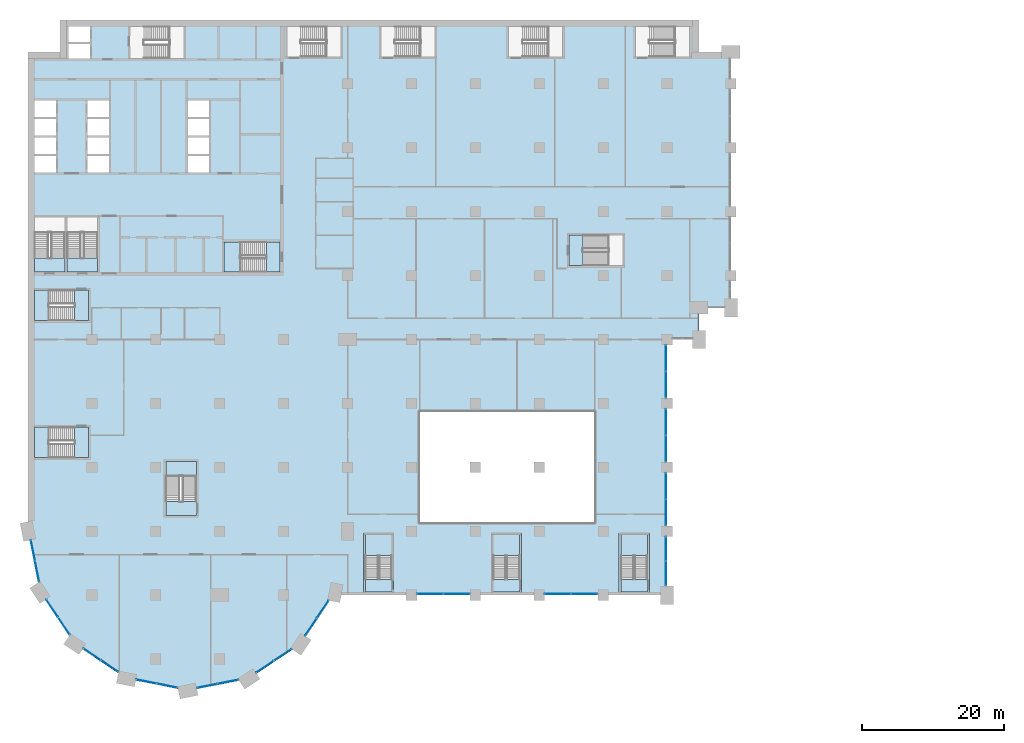
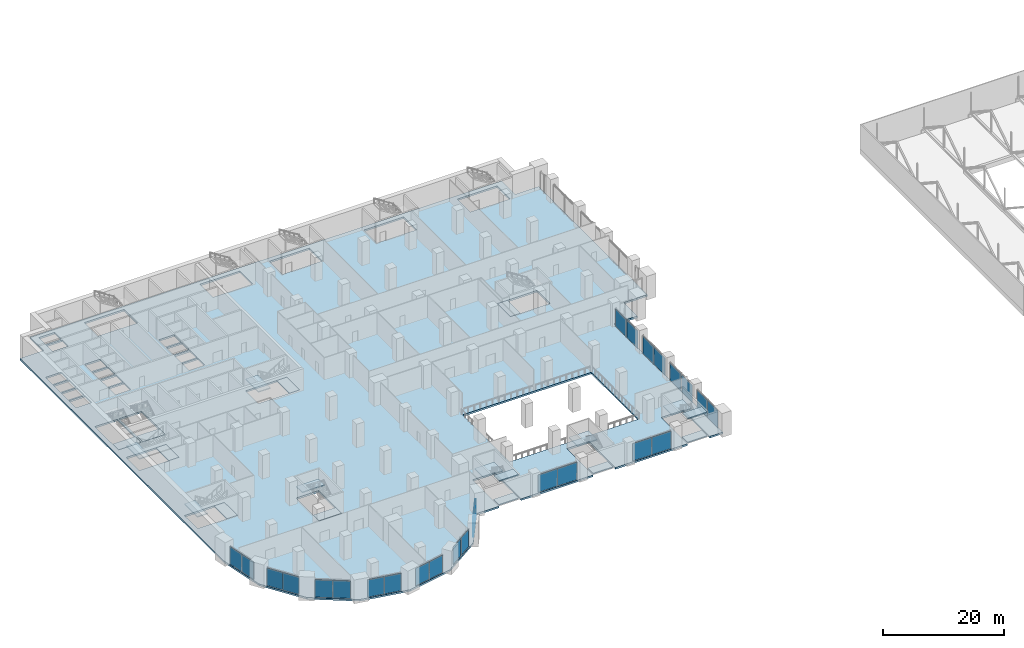
# One storey, part 19 of 49: 26 plates, 20 slabs, 20 elements without a shape of their own.
"""IFC4 building model written with IfcOpenShell, lengths in metres."""

from ifc_helpers import new_model, si_unit, direction, frame, origin, origin_2d, place, context, subcontext, project, spatial, polyline, rectangle, outline, extrude, material, layer, layer_set, type_object, element, aggregate, save


model = new_model("IFC4")

# Units and contexts
model_context = context("Model", 3, precision=1e-05, world=origin(), true_north=direction((0.0, 1.0)))
body_context = subcontext(model_context, "Body", "Model", "MODEL_VIEW")
ifc_project = project(units=[si_unit("LENGTHUNIT", "METRE"), si_unit("AREAUNIT", "SQUARE_METRE"), si_unit("VOLUMEUNIT", "CUBIC_METRE"), si_unit("PLANEANGLEUNIT", "RADIAN"), si_unit("MASSUNIT", "GRAM", prefix="KILO")], contexts=[model_context])

# Site, building, storey
site_placement = place(None, origin())
site = spatial("IfcSite", under=ifc_project, at=site_placement, CompositionType="ELEMENT")
building_placement = place(site_placement, origin())
building = spatial("IfcBuilding", under=site, at=building_placement, Name="Hunhe Ridgeline Campus", CompositionType="ELEMENT")
storey_placement = place(building_placement, frame((0.0, 0.0, 21.60009765625)))
storey = spatial("IfcBuildingStorey", under=building, at=storey_placement, Name="L04", CompositionType="ELEMENT", Elevation=21.60009765625)

# Curtain wall, plates
ifc_material_1 = material(Name="Aluminium and glass", Category="aluminium")
curtain_wall_type = type_object("IfcCurtainWallType", Name="Podium curtain wall CW-2", PredefinedType="NOTDEFINED", material=ifc_material_1)
curtain_wall_1_placement = place(storey_placement, origin())
curtain_wall_1 = element("IfcCurtainWall", 1, at=curtain_wall_1_placement, inside=storey, type_object=curtain_wall_type, Name="L04 podium curtain wall 9", PredefinedType="NOTDEFINED")
ifc_material_2 = material(Name="Clear glass", Category="glass")
ifc_layer_1 = layer(ifc_material_2, 0.028076171875)
ifc_layer_set_1 = layer_set([ifc_layer_1], Name="CW-2 clear glass panel 28")
plate_type = type_object("IfcPlateType", Name="CW-2 clear glass panel 28", PredefinedType="CURTAIN_PANEL", material=ifc_layer_set_1)
plate_1_placement = place(storey_placement, frame((0.69677734375, 24.265869140625, 0.06005859375), z_axis=(0.0, 0.0, 1.0), x_axis=(0.195098458454, -0.98078366193, 0.0)))
plate_1 = element("IfcPlate", 2, at=plate_1_placement, type_object=plate_type, Name="CW2 panel 1.1", PredefinedType="CURTAIN_PANEL", context=body_context, shape_type="SweptSolid", body=[
    extrude(rectangle(XDim=2.914794921875, YDim=0.028076171875, at=origin_2d()), origin(), (0.0, 0.0, 1.0), 3.530029296875),
])
plate_2_placement = place(storey_placement, frame((1.277099609375, 21.34814453125, 0.06005859375), z_axis=(0.0, 0.0, 1.0), x_axis=(0.195098458454, -0.98078366193, 0.0)))
plate_2 = element("IfcPlate", 3, at=plate_2_placement, type_object=plate_type, Name="CW2 panel 2.1", PredefinedType="CURTAIN_PANEL", context=body_context, shape_type="SweptSolid", body=[
    extrude(rectangle(XDim=2.914794921875, YDim=0.028076171875, at=origin_2d()), origin(), (0.0, 0.0, 1.0), 3.530029296875),
])
aggregate(curtain_wall_1, [plate_1, plate_2])

curtain_wall_2_placement = place(storey_placement, origin())
curtain_wall_2 = element("IfcCurtainWall", 4, at=curtain_wall_2_placement, inside=storey, type_object=curtain_wall_type, Name="L04 podium curtain wall 10", PredefinedType="NOTDEFINED")
plate_3_placement = place(storey_placement, frame((3.40283203125, 16.13037109375, 0.06005859375), z_axis=(0.0, 0.0, 1.0), x_axis=(0.555579224709, -0.831463604177, 0.0)))
plate_3 = element("IfcPlate", 5, at=plate_3_placement, type_object=plate_type, Name="CW2 panel 1.1", PredefinedType="CURTAIN_PANEL", context=body_context, shape_type="SweptSolid", body=[
    extrude(rectangle(XDim=2.914794921875, YDim=0.028076171875, at=origin_2d()), origin(), (0.0, 0.0, 1.0), 3.530029296875),
])
plate_4_placement = place(storey_placement, frame((5.055419921875, 13.65673828125, 0.06005859375), z_axis=(0.0, 0.0, 1.0), x_axis=(0.555579224709, -0.831463604177, 0.0)))
plate_4 = element("IfcPlate", 6, at=plate_4_placement, type_object=plate_type, Name="CW2 panel 2.1", PredefinedType="CURTAIN_PANEL", context=body_context, shape_type="SweptSolid", body=[
    extrude(rectangle(XDim=2.914794921875, YDim=0.028076171875, at=origin_2d()), origin(), (0.0, 0.0, 1.0), 3.530029296875),
])
aggregate(curtain_wall_2, [plate_3, plate_4])

curtain_wall_3_placement = place(storey_placement, origin())
curtain_wall_3 = element("IfcCurtainWall", 7, at=curtain_wall_3_placement, inside=storey, type_object=curtain_wall_type, Name="L04 podium curtain wall 11", PredefinedType="NOTDEFINED")
plate_5_placement = place(storey_placement, frame((9.01611328125, 9.649658203125, 0.06005859375), z_axis=(0.0, 0.0, 1.0), x_axis=(0.831468740176, -0.555571538247, 0.0)))
plate_5 = element("IfcPlate", 8, at=plate_5_placement, type_object=plate_type, Name="CW2 panel 1.1", PredefinedType="CURTAIN_PANEL", context=body_context, shape_type="SweptSolid", body=[
    extrude(rectangle(XDim=2.9150390625, YDim=0.028076171875, at=origin_2d()), origin(), (0.0, 0.0, 1.0), 3.530029296875),
])
plate_6_placement = place(storey_placement, frame((11.489501953125, 7.996826171875, 0.06005859375), z_axis=(0.0, 0.0, 1.0), x_axis=(0.831468740176, -0.555571538247, 0.0)))
plate_6 = element("IfcPlate", 9, at=plate_6_placement, type_object=plate_type, Name="CW2 panel 2.1", PredefinedType="CURTAIN_PANEL", context=body_context, shape_type="SweptSolid", body=[
    extrude(rectangle(XDim=2.9150390625, YDim=0.028076171875, at=origin_2d()), origin(), (0.0, 0.0, 1.0), 3.530029296875),
])
aggregate(curtain_wall_3, [plate_5, plate_6])

curtain_wall_4_placement = place(storey_placement, origin())
curtain_wall_4 = element("IfcCurtainWall", 10, at=curtain_wall_4_placement, inside=storey, type_object=curtain_wall_type, Name="L04 podium curtain wall 12", PredefinedType="NOTDEFINED")
plate_7_placement = place(storey_placement, frame((16.68212890625, 5.81005859375, 0.06005859375), z_axis=(0.0, 0.0, 1.0), x_axis=(0.980787479014, -0.195079268527, 0.0)))
plate_7 = element("IfcPlate", 11, at=plate_7_placement, type_object=plate_type, Name="CW2 panel 1.1", PredefinedType="CURTAIN_PANEL", context=body_context, shape_type="SweptSolid", body=[
    extrude(rectangle(XDim=2.9150390625, YDim=0.028076171875, at=origin_2d()), origin(), (0.0, 0.0, 1.0), 3.530029296875),
])
plate_8_placement = place(storey_placement, frame((19.60009765625, 5.229736328125, 0.06005859375), z_axis=(0.0, 0.0, 1.0), x_axis=(0.980787479014, -0.195079268527, 0.0)))
plate_8 = element("IfcPlate", 12, at=plate_8_placement, type_object=plate_type, Name="CW2 panel 2.1", PredefinedType="CURTAIN_PANEL", context=body_context, shape_type="SweptSolid", body=[
    extrude(rectangle(XDim=2.9150390625, YDim=0.028076171875, at=origin_2d()), origin(), (0.0, 0.0, 1.0), 3.530029296875),
])
aggregate(curtain_wall_4, [plate_7, plate_8])

curtain_wall_5_placement = place(storey_placement, origin())
curtain_wall_5 = element("IfcCurtainWall", 13, at=curtain_wall_5_placement, inside=storey, type_object=curtain_wall_type, Name="L04 podium curtain wall 13", PredefinedType="NOTDEFINED")
plate_9_placement = place(storey_placement, frame((25.234130859375, 5.19677734375, 0.06005859375), z_axis=(0.0, 0.0, 1.0), x_axis=(0.98078366193, 0.195098458454, 0.0)))
plate_9 = element("IfcPlate", 14, at=plate_9_placement, type_object=plate_type, Name="CW2 panel 1.1", PredefinedType="CURTAIN_PANEL", context=body_context, shape_type="SweptSolid", body=[
    extrude(rectangle(XDim=2.914794921875, YDim=0.028076171875, at=origin_2d()), origin(), (0.0, 0.0, 1.0), 3.530029296875),
])
plate_10_placement = place(storey_placement, frame((28.15185546875, 5.777099609375, 0.06005859375), z_axis=(0.0, 0.0, 1.0), x_axis=(0.98078366193, 0.195098458454, 0.0)))
plate_10 = element("IfcPlate", 15, at=plate_10_placement, type_object=plate_type, Name="CW2 panel 2.1", PredefinedType="CURTAIN_PANEL", context=body_context, shape_type="SweptSolid", body=[
    extrude(rectangle(XDim=2.914794921875, YDim=0.028076171875, at=origin_2d()), origin(), (0.0, 0.0, 1.0), 3.530029296875),
])
aggregate(curtain_wall_5, [plate_9, plate_10])

curtain_wall_6_placement = place(storey_placement, origin())
curtain_wall_6 = element("IfcCurtainWall", 16, at=curtain_wall_6_placement, inside=storey, type_object=curtain_wall_type, Name="L04 podium curtain wall 14", PredefinedType="NOTDEFINED")
plate_11_placement = place(storey_placement, frame((33.36962890625, 7.90283203125, 0.06005859375), z_axis=(0.0, 0.0, 1.0), x_axis=(0.831463604177, 0.555579224709, 0.0)))
plate_11 = element("IfcPlate", 17, at=plate_11_placement, type_object=plate_type, Name="CW2 panel 1.1", PredefinedType="CURTAIN_PANEL", context=body_context, shape_type="SweptSolid", body=[
    extrude(rectangle(XDim=2.914794921875, YDim=0.028076171875, at=origin_2d()), origin(), (0.0, 0.0, 1.0), 3.530029296875),
])
plate_12_placement = place(storey_placement, frame((35.84326171875, 9.555419921875, 0.06005859375), z_axis=(0.0, 0.0, 1.0), x_axis=(0.831463604177, 0.555579224709, 0.0)))
plate_12 = element("IfcPlate", 18, at=plate_12_placement, type_object=plate_type, Name="CW2 panel 2.1", PredefinedType="CURTAIN_PANEL", context=body_context, shape_type="SweptSolid", body=[
    extrude(rectangle(XDim=2.914794921875, YDim=0.028076171875, at=origin_2d()), origin(), (0.0, 0.0, 1.0), 3.530029296875),
])
aggregate(curtain_wall_6, [plate_11, plate_12])

curtain_wall_7_placement = place(storey_placement, origin())
curtain_wall_7 = element("IfcCurtainWall", 19, at=curtain_wall_7_placement, inside=storey, type_object=curtain_wall_type, Name="L04 podium curtain wall 15", PredefinedType="NOTDEFINED")
plate_13_placement = place(storey_placement, frame((39.850341796875, 13.51611328125, 0.06005859375), z_axis=(0.0, 0.0, 1.0), x_axis=(0.555571538247, 0.831468740176, 0.0)))
plate_13 = element("IfcPlate", 20, at=plate_13_placement, type_object=plate_type, Name="CW2 panel 1.1", PredefinedType="CURTAIN_PANEL", context=body_context, shape_type="SweptSolid", body=[
    extrude(rectangle(XDim=2.9150390625, YDim=0.028076171875, at=origin_2d()), origin(), (0.0, 0.0, 1.0), 3.530029296875),
])
plate_14_placement = place(storey_placement, frame((41.503173828125, 15.989501953125, 0.06005859375), z_axis=(0.0, 0.0, 1.0), x_axis=(0.555571538247, 0.831468740176, 0.0)))
plate_14 = element("IfcPlate", 21, at=plate_14_placement, type_object=plate_type, Name="CW2 panel 2.1", PredefinedType="CURTAIN_PANEL", context=body_context, shape_type="SweptSolid", body=[
    extrude(rectangle(XDim=2.9150390625, YDim=0.028076171875, at=origin_2d()), origin(), (0.0, 0.0, 1.0), 3.530029296875),
])
aggregate(curtain_wall_7, [plate_13, plate_14])

curtain_wall_8_placement = place(storey_placement, origin())
curtain_wall_8 = element("IfcCurtainWall", 22, at=curtain_wall_8_placement, inside=storey, type_object=curtain_wall_type, Name="L04 podium curtain wall 17", PredefinedType="NOTDEFINED")
plate_15_placement = place(storey_placement, frame((56.639892578125, 18.14990234375, 0.06005859375), z_axis=(0.0, 0.0, 1.0), x_axis=(1.0, 0.0, 0.0)))
plate_15 = element("IfcPlate", 23, at=plate_15_placement, type_object=plate_type, Name="CW2 panel 1.1", PredefinedType="CURTAIN_PANEL", context=body_context, shape_type="SweptSolid", body=[
    extrude(rectangle(XDim=3.659912109375, YDim=0.028076171875, at=origin_2d()), origin(), (0.0, 0.0, 1.0), 3.530029296875),
])
plate_16_placement = place(storey_placement, frame((60.360107421875, 18.14990234375, 0.06005859375), z_axis=(0.0, 0.0, 1.0), x_axis=(1.0, 0.0, 0.0)))
plate_16 = element("IfcPlate", 24, at=plate_16_placement, type_object=plate_type, Name="CW2 panel 2.1", PredefinedType="CURTAIN_PANEL", context=body_context, shape_type="SweptSolid", body=[
    extrude(rectangle(XDim=3.659912109375, YDim=0.028076171875, at=origin_2d()), origin(), (0.0, 0.0, 1.0), 3.530029296875),
])
aggregate(curtain_wall_8, [plate_15, plate_16])

curtain_wall_9_placement = place(storey_placement, origin())
curtain_wall_9 = element("IfcCurtainWall", 25, at=curtain_wall_9_placement, inside=storey, type_object=curtain_wall_type, Name="L04 podium curtain wall 19", PredefinedType="NOTDEFINED")
plate_17_placement = place(storey_placement, frame((74.639892578125, 18.14990234375, 0.06005859375), z_axis=(0.0, 0.0, 1.0), x_axis=(1.0, 0.0, 0.0)))
plate_17 = element("IfcPlate", 26, at=plate_17_placement, type_object=plate_type, Name="CW2 panel 1.1", PredefinedType="CURTAIN_PANEL", context=body_context, shape_type="SweptSolid", body=[
    extrude(rectangle(XDim=3.659912109375, YDim=0.028076171875, at=origin_2d()), origin(), (0.0, 0.0, 1.0), 3.530029296875),
])
plate_18_placement = place(storey_placement, frame((78.360107421875, 18.14990234375, 0.06005859375), z_axis=(0.0, 0.0, 1.0), x_axis=(1.0, 0.0, 0.0)))
plate_18 = element("IfcPlate", 27, at=plate_18_placement, type_object=plate_type, Name="CW2 panel 2.1", PredefinedType="CURTAIN_PANEL", context=body_context, shape_type="SweptSolid", body=[
    extrude(rectangle(XDim=3.659912109375, YDim=0.028076171875, at=origin_2d()), origin(), (0.0, 0.0, 1.0), 3.530029296875),
])
aggregate(curtain_wall_9, [plate_17, plate_18])

curtain_wall_10_placement = place(storey_placement, origin())
curtain_wall_10 = element("IfcCurtainWall", 28, at=curtain_wall_10_placement, inside=storey, type_object=curtain_wall_type, Name="L04 podium curtain wall 21", PredefinedType="NOTDEFINED")
plate_19_placement = place(storey_placement, frame((89.85009765625, 21.052490234375, 0.06005859375), z_axis=(0.0, 0.0, 1.0), x_axis=(0.0, 1.0, 0.0)))
plate_19 = element("IfcPlate", 29, at=plate_19_placement, type_object=plate_type, Name="CW2 panel 1.1", PredefinedType="CURTAIN_PANEL", context=body_context, shape_type="SweptSolid", body=[
    extrude(rectangle(XDim=3.385009765625, YDim=0.028076171875, at=origin_2d()), origin(), (0.0, 0.0, 1.0), 3.530029296875),
])
plate_20_placement = place(storey_placement, frame((89.85009765625, 24.49755859375, 0.06005859375), z_axis=(0.0, 0.0, 1.0), x_axis=(0.0, 1.0, 0.0)))
plate_20 = element("IfcPlate", 30, at=plate_20_placement, type_object=plate_type, Name="CW2 panel 2.1", PredefinedType="CURTAIN_PANEL", context=body_context, shape_type="SweptSolid", body=[
    extrude(rectangle(XDim=3.385009765625, YDim=0.028076171875, at=origin_2d()), origin(), (0.0, 0.0, 1.0), 3.530029296875),
])
aggregate(curtain_wall_10, [plate_19, plate_20])

curtain_wall_11_placement = place(storey_placement, origin())
curtain_wall_11 = element("IfcCurtainWall", 31, at=curtain_wall_11_placement, inside=storey, type_object=curtain_wall_type, Name="L04 podium curtain wall 22", PredefinedType="NOTDEFINED")
plate_21_placement = place(storey_placement, frame((89.85009765625, 29.639892578125, 0.06005859375), z_axis=(0.0, 0.0, 1.0), x_axis=(0.0, 1.0, 0.0)))
plate_21 = element("IfcPlate", 32, at=plate_21_placement, type_object=plate_type, Name="CW2 panel 1.1", PredefinedType="CURTAIN_PANEL", context=body_context, shape_type="SweptSolid", body=[
    extrude(rectangle(XDim=3.659912109375, YDim=0.028076171875, at=origin_2d()), origin(), (0.0, 0.0, 1.0), 3.530029296875),
])
plate_22_placement = place(storey_placement, frame((89.85009765625, 33.360107421875, 0.06005859375), z_axis=(0.0, 0.0, 1.0), x_axis=(0.0, 1.0, 0.0)))
plate_22 = element("IfcPlate", 33, at=plate_22_placement, type_object=plate_type, Name="CW2 panel 2.1", PredefinedType="CURTAIN_PANEL", context=body_context, shape_type="SweptSolid", body=[
    extrude(rectangle(XDim=3.659912109375, YDim=0.028076171875, at=origin_2d()), origin(), (0.0, 0.0, 1.0), 3.530029296875),
])
aggregate(curtain_wall_11, [plate_21, plate_22])

curtain_wall_12_placement = place(storey_placement, origin())
curtain_wall_12 = element("IfcCurtainWall", 34, at=curtain_wall_12_placement, inside=storey, type_object=curtain_wall_type, Name="L04 podium curtain wall 23", PredefinedType="NOTDEFINED")
plate_23_placement = place(storey_placement, frame((89.85009765625, 38.639892578125, 0.06005859375), z_axis=(0.0, 0.0, 1.0), x_axis=(0.0, 1.0, 0.0)))
plate_23 = element("IfcPlate", 35, at=plate_23_placement, type_object=plate_type, Name="CW2 panel 1.1", PredefinedType="CURTAIN_PANEL", context=body_context, shape_type="SweptSolid", body=[
    extrude(rectangle(XDim=3.659912109375, YDim=0.028076171875, at=origin_2d()), origin(), (0.0, 0.0, 1.0), 3.530029296875),
])
plate_24_placement = place(storey_placement, frame((89.85009765625, 42.360107421875, 0.06005859375), z_axis=(0.0, 0.0, 1.0), x_axis=(0.0, 1.0, 0.0)))
plate_24 = element("IfcPlate", 36, at=plate_24_placement, type_object=plate_type, Name="CW2 panel 2.1", PredefinedType="CURTAIN_PANEL", context=body_context, shape_type="SweptSolid", body=[
    extrude(rectangle(XDim=3.659912109375, YDim=0.028076171875, at=origin_2d()), origin(), (0.0, 0.0, 1.0), 3.530029296875),
])
aggregate(curtain_wall_12, [plate_23, plate_24])

curtain_wall_13_placement = place(storey_placement, origin())
curtain_wall_13 = element("IfcCurtainWall", 37, at=curtain_wall_13_placement, inside=storey, type_object=curtain_wall_type, Name="L04 podium curtain wall 24", PredefinedType="NOTDEFINED")
plate_25_placement = place(storey_placement, frame((89.85009765625, 47.639892578125, 0.06005859375), z_axis=(0.0, 0.0, 1.0), x_axis=(0.0, 1.0, 0.0)))
plate_25 = element("IfcPlate", 38, at=plate_25_placement, type_object=plate_type, Name="CW2 panel 1.1", PredefinedType="CURTAIN_PANEL", context=body_context, shape_type="SweptSolid", body=[
    extrude(rectangle(XDim=3.659912109375, YDim=0.028076171875, at=origin_2d()), origin(), (0.0, 0.0, 1.0), 3.530029296875),
])
plate_26_placement = place(storey_placement, frame((89.85009765625, 51.360107421875, 0.06005859375), z_axis=(0.0, 0.0, 1.0), x_axis=(0.0, 1.0, 0.0)))
plate_26 = element("IfcPlate", 39, at=plate_26_placement, type_object=plate_type, Name="CW2 panel 2.1", PredefinedType="CURTAIN_PANEL", context=body_context, shape_type="SweptSolid", body=[
    extrude(rectangle(XDim=3.659912109375, YDim=0.028076171875, at=origin_2d()), origin(), (0.0, 0.0, 1.0), 3.530029296875),
])
aggregate(curtain_wall_13, [plate_25, plate_26])

# Slab
ifc_material_3 = material(Name="Concrete C40", Category="concrete")
ifc_layer_2 = layer(ifc_material_3, 0.35009765625)
ifc_layer_set_2 = layer_set([ifc_layer_2], Name="Podium floor slab 350 C40")
slab_type_1 = type_object("IfcSlabType", Name="Podium floor slab 350 C40", PredefinedType="FLOOR", material=ifc_layer_set_2)
slab_1_placement = place(storey_placement, frame((0.0, 0.0, -0.35009765625)))
element("IfcSlab", 40, at=slab_1_placement, inside=storey, type_object=slab_type_1, Name="L04 floor slab 1", PredefinedType="FLOOR", context=body_context, shape_type="SweptSolid", body=[
    extrude(outline(polyline([(90.0, 18.0), (90.0, 54.0), (94.5, 54.0), (94.5, 58.5), (99.0, 58.5), (99.0, 94.5), (94.5, 94.5), (94.5, 99.0), (4.5, 99.0), (4.5, 94.5), (0.0, 94.5), (0.0, 27.0), (1.712646484375, 18.3896484375), (6.590087890625, 11.090087890625), (13.8896484375, 6.212646484375), (22.5, 4.5), (31.1103515625, 6.212646484375), (38.409912109375, 11.090087890625), (43.027099609375, 18.0), (47.25, 18.0), (47.25, 26.75), (51.5, 26.75), (51.5, 18.0), (65.25, 18.0), (65.25, 26.75), (69.5, 26.75), (69.5, 18.0), (83.25, 18.0), (83.25, 26.75), (87.5, 26.75), (87.5, 18.0), (90.0, 18.0)]), holes=[polyline([(0.89990234375, 41.64990234375), (0.89990234375, 37.35009765625), (8.5, 37.35009765625), (8.5, 41.64990234375), (0.89990234375, 41.64990234375)]), polyline([(8.5, 60.949951171875), (0.89990234375, 60.949951171875), (0.89990234375, 56.64990234375), (8.5, 56.64990234375), (8.5, 60.949951171875)]), polyline([(5.199951171875, 63.5), (5.199951171875, 71.25), (0.89990234375, 71.25), (0.89990234375, 63.5), (5.199951171875, 63.5)]), polyline([(9.800048828125, 63.5), (9.800048828125, 71.25), (5.5, 71.25), (5.5, 63.5), (9.800048828125, 63.5)]), polyline([(0.89990234375, 77.550048828125), (3.89990234375, 77.550048828125), (3.89990234375, 79.85009765625), (0.89990234375, 79.85009765625), (0.89990234375, 77.550048828125)]), polyline([(8.39990234375, 77.550048828125), (11.39990234375, 77.550048828125), (11.39990234375, 79.85009765625), (8.39990234375, 79.85009765625), (8.39990234375, 77.550048828125)]), polyline([(0.89990234375, 80.14990234375), (3.89990234375, 80.14990234375), (3.89990234375, 82.449951171875), (0.89990234375, 82.449951171875), (0.89990234375, 80.14990234375)]), polyline([(8.39990234375, 80.14990234375), (11.39990234375, 80.14990234375), (11.39990234375, 82.449951171875), (8.39990234375, 82.449951171875), (8.39990234375, 80.14990234375)]), polyline([(0.89990234375, 82.75), (3.89990234375, 82.75), (3.89990234375, 85.050048828125), (0.89990234375, 85.050048828125), (0.89990234375, 82.75)]), polyline([(8.39990234375, 82.75), (11.39990234375, 82.75), (11.39990234375, 85.050048828125), (8.39990234375, 85.050048828125), (8.39990234375, 82.75)]), polyline([(0.89990234375, 85.35009765625), (3.89990234375, 85.35009765625), (3.89990234375, 87.64990234375), (0.89990234375, 87.64990234375), (0.89990234375, 85.35009765625)]), polyline([(8.39990234375, 85.35009765625), (11.39990234375, 85.35009765625), (11.39990234375, 87.64990234375), (8.39990234375, 87.64990234375), (8.39990234375, 85.35009765625)]), polyline([(5.699951171875, 93.60009765625), (8.699951171875, 93.60009765625), (8.699951171875, 95.60009765625), (5.699951171875, 95.60009765625), (5.699951171875, 93.60009765625)]), polyline([(14.35009765625, 93.60009765625), (21.949951171875, 93.60009765625), (21.949951171875, 98.10009765625), (14.35009765625, 98.10009765625), (14.35009765625, 93.60009765625)]), polyline([(5.699951171875, 95.89990234375), (8.699951171875, 95.89990234375), (8.699951171875, 98.10009765625), (5.699951171875, 98.10009765625), (5.699951171875, 95.89990234375)]), polyline([(23.699951171875, 29.199951171875), (23.699951171875, 36.800048828125), (19.39990234375, 36.800048828125), (19.39990234375, 29.199951171875), (23.699951171875, 29.199951171875)]), polyline([(55.199951171875, 28.199951171875), (79.800048828125, 28.199951171875), (79.800048828125, 43.800048828125), (55.199951171875, 43.800048828125), (55.199951171875, 28.199951171875)]), polyline([(35.5, 67.75), (27.60009765625, 67.75), (27.60009765625, 63.5), (35.5, 63.5), (35.5, 67.75)]), polyline([(76.199951171875, 64.39990234375), (83.800048828125, 64.39990234375), (83.800048828125, 68.699951171875), (76.199951171875, 68.699951171875), (76.199951171875, 64.39990234375)]), polyline([(22.5, 77.550048828125), (25.5, 77.550048828125), (25.5, 79.85009765625), (22.5, 79.85009765625), (22.5, 77.550048828125)]), polyline([(22.5, 80.14990234375), (25.5, 80.14990234375), (25.5, 82.449951171875), (22.5, 82.449951171875), (22.5, 80.14990234375)]), polyline([(22.5, 82.75), (25.5, 82.75), (25.5, 85.050048828125), (22.5, 85.050048828125), (22.5, 82.75)]), polyline([(22.5, 85.35009765625), (25.5, 85.35009765625), (25.5, 87.64990234375), (22.5, 87.64990234375), (22.5, 85.35009765625)]), polyline([(36.449951171875, 93.800048828125), (44.050048828125, 93.800048828125), (44.050048828125, 98.10009765625), (36.449951171875, 98.10009765625), (36.449951171875, 93.800048828125)]), polyline([(49.699951171875, 93.800048828125), (57.300048828125, 93.800048828125), (57.300048828125, 98.10009765625), (49.699951171875, 98.10009765625), (49.699951171875, 93.800048828125)]), polyline([(67.699951171875, 93.800048828125), (75.300048828125, 93.800048828125), (75.300048828125, 98.10009765625), (67.699951171875, 98.10009765625), (67.699951171875, 93.800048828125)]), polyline([(85.550048828125, 93.800048828125), (93.14990234375, 93.800048828125), (93.14990234375, 98.10009765625), (85.550048828125, 98.10009765625), (85.550048828125, 93.800048828125)])]), origin(), (0.0, 0.0, 1.0), 0.35009765625),
])

# Stair, slabs
stair_type_1 = type_object("IfcStairType", Name="Podium exit stair 1800", PredefinedType="HALF_TURN_STAIR", material=ifc_material_3)
stair_1_placement = place(storey_placement, origin())
stair_1 = element("IfcStair", 41, at=stair_1_placement, inside=storey, type_object=stair_type_1, Name="L04 podium stair PS1", PredefinedType="HALF_TURN_STAIR")
ifc_layer_3 = layer(ifc_material_3, 0.199951171875)
ifc_layer_set_3 = layer_set([ifc_layer_3], Name="Podium stair landing 200 C40")
slab_type_2 = type_object("IfcSlabType", Name="Podium stair landing 200 C40", PredefinedType="LANDING", material=ifc_layer_set_3)
slab_2_placement = place(storey_placement, frame((0.0, 0.0, 2.199951171875)))
slab_2 = element("IfcSlab", 42, at=slab_2_placement, type_object=slab_type_2, Name="PS1 landing 1", PredefinedType="LANDING", context=body_context, shape_type="SweptSolid", body=[
    extrude(outline(polyline([(51.25, 23.580078125), (51.25, 26.5), (47.5, 26.5), (47.5, 23.580078125), (51.25, 23.580078125)])), origin(), (0.0, 0.0, 1.0), 0.199951171875),
])
slab_3_placement = place(storey_placement, frame((0.0, 0.0, -0.2001953125)))
slab_3 = element("IfcSlab", 43, at=slab_3_placement, type_object=slab_type_2, Name="PS1 landing 2", PredefinedType="LANDING", context=body_context, shape_type="SweptSolid", body=[
    extrude(outline(polyline([(47.5, 18.39990234375), (51.25, 18.39990234375), (51.25, 20.199951171875), (47.5, 20.199951171875), (47.5, 18.39990234375)])), origin(), (0.0, 0.0, 1.0), 0.2001953125),
])
slab_4_placement = place(storey_placement, frame((0.0, 0.0, 4.599853515625)))
slab_4 = element("IfcSlab", 44, at=slab_4_placement, type_object=slab_type_2, Name="PS1 landing 3", PredefinedType="LANDING", context=body_context, shape_type="SweptSolid", body=[
    extrude(outline(polyline([(47.5, 18.39990234375), (51.25, 18.39990234375), (51.25, 20.199951171875), (47.5, 20.199951171875), (47.5, 18.39990234375)])), origin(), (0.0, 0.0, 1.0), 0.199951171875),
])
aggregate(stair_1, [slab_2, slab_3, slab_4])

stair_2_placement = place(storey_placement, origin())
stair_2 = element("IfcStair", 45, at=stair_2_placement, inside=storey, type_object=stair_type_1, Name="L04 podium stair PS2", PredefinedType="HALF_TURN_STAIR")
slab_5_placement = place(storey_placement, frame((0.0, 0.0, 2.199951171875)))
slab_5 = element("IfcSlab", 46, at=slab_5_placement, type_object=slab_type_2, Name="PS2 landing 1", PredefinedType="LANDING", context=body_context, shape_type="SweptSolid", body=[
    extrude(outline(polyline([(69.25, 23.580078125), (69.25, 26.5), (65.5, 26.5), (65.5, 23.580078125), (69.25, 23.580078125)])), origin(), (0.0, 0.0, 1.0), 0.199951171875),
])
slab_6_placement = place(storey_placement, frame((0.0, 0.0, -0.2001953125)))
slab_6 = element("IfcSlab", 47, at=slab_6_placement, type_object=slab_type_2, Name="PS2 landing 2", PredefinedType="LANDING", context=body_context, shape_type="SweptSolid", body=[
    extrude(outline(polyline([(65.5, 18.39990234375), (69.25, 18.39990234375), (69.25, 20.199951171875), (65.5, 20.199951171875), (65.5, 18.39990234375)])), origin(), (0.0, 0.0, 1.0), 0.2001953125),
])
aggregate(stair_2, [slab_5, slab_6])

stair_3_placement = place(storey_placement, origin())
stair_3 = element("IfcStair", 48, at=stair_3_placement, inside=storey, type_object=stair_type_1, Name="L04 podium stair PS3", PredefinedType="HALF_TURN_STAIR")
slab_7_placement = place(storey_placement, frame((0.0, 0.0, 2.199951171875)))
slab_7 = element("IfcSlab", 49, at=slab_7_placement, type_object=slab_type_2, Name="PS3 landing 1", PredefinedType="LANDING", context=body_context, shape_type="SweptSolid", body=[
    extrude(outline(polyline([(87.25, 23.580078125), (87.25, 26.5), (83.5, 26.5), (83.5, 23.580078125), (87.25, 23.580078125)])), origin(), (0.0, 0.0, 1.0), 0.199951171875),
])
slab_8_placement = place(storey_placement, frame((0.0, 0.0, -0.2001953125)))
slab_8 = element("IfcSlab", 50, at=slab_8_placement, type_object=slab_type_2, Name="PS3 landing 2", PredefinedType="LANDING", context=body_context, shape_type="SweptSolid", body=[
    extrude(outline(polyline([(83.5, 18.39990234375), (87.25, 18.39990234375), (87.25, 20.199951171875), (83.5, 20.199951171875), (83.5, 18.39990234375)])), origin(), (0.0, 0.0, 1.0), 0.2001953125),
])
slab_9_placement = place(storey_placement, frame((0.0, 0.0, 4.599853515625)))
slab_9 = element("IfcSlab", 51, at=slab_9_placement, type_object=slab_type_2, Name="PS3 landing 3", PredefinedType="LANDING", context=body_context, shape_type="SweptSolid", body=[
    extrude(outline(polyline([(83.5, 18.39990234375), (87.25, 18.39990234375), (87.25, 20.199951171875), (83.5, 20.199951171875), (83.5, 18.39990234375)])), origin(), (0.0, 0.0, 1.0), 0.199951171875),
])
aggregate(stair_3, [slab_7, slab_8, slab_9])

# Stair, slab
stair_type_2 = type_object("IfcStairType", Name="Reinforced concrete dog-leg stair 1950 Concrete C40", PredefinedType="HALF_TURN_STAIR", material=ifc_material_3)
stair_4_placement = place(storey_placement, origin())
stair_4 = element("IfcStair", 52, at=stair_4_placement, inside=storey, type_object=stair_type_2, Name="L04 S2", PredefinedType="HALF_TURN_STAIR")
ifc_layer_4 = layer(ifc_material_3, 0.199951171875)
ifc_layer_set_4 = layer_set([ifc_layer_4], Name="Reinforced concrete stair landing 200 Concrete C40")
slab_type_3 = type_object("IfcSlabType", Name="Reinforced concrete stair landing 200 Concrete C40", PredefinedType="LANDING", material=ifc_layer_set_4)
slab_10_placement = place(storey_placement, frame((0.0, 0.0, 2.199951171875)))
slab_10 = element("IfcSlab", 53, at=slab_10_placement, type_object=slab_type_3, Name="ST2 landing 1", PredefinedType="LANDING", context=body_context, shape_type="SweptSolid", body=[
    extrude(outline(polyline([(29.909912109375, 67.75), (27.60009765625, 67.75), (27.60009765625, 63.5), (29.909912109375, 63.5), (29.909912109375, 67.75)])), origin(), (0.0, 0.0, 1.0), 0.199951171875),
])
aggregate(stair_4, [slab_10])

# Slabs
slab_11_placement = place(storey_placement, frame((0.0, 0.0, -0.2001953125)))
element("IfcSlab", 54, at=slab_11_placement, inside=storey, type_object=slab_type_3, Name="L04 stair S2 floor landing", PredefinedType="LANDING", context=body_context, shape_type="SweptSolid", body=[
    extrude(outline(polyline([(35.5, 67.75), (33.550048828125, 67.75), (33.550048828125, 63.5), (35.5, 63.5), (35.5, 67.75)])), origin(), (0.0, 0.0, 1.0), 0.2001953125),
])
slab_12_placement = place(storey_placement, frame((0.0, 0.0, -0.2001953125)))
element("IfcSlab", 55, at=slab_12_placement, inside=storey, type_object=slab_type_3, Name="L04 stair S3 floor landing", PredefinedType="LANDING", context=body_context, shape_type="SweptSolid", body=[
    extrude(outline(polyline([(5.199951171875, 63.5), (5.199951171875, 65.449951171875), (0.89990234375, 65.449951171875), (0.89990234375, 63.5), (5.199951171875, 63.5)])), origin(), (0.0, 0.0, 1.0), 0.2001953125),
])
slab_13_placement = place(storey_placement, frame((0.0, 0.0, -0.2001953125)))
element("IfcSlab", 56, at=slab_13_placement, inside=storey, type_object=slab_type_3, Name="L04 stair S4 floor landing", PredefinedType="LANDING", context=body_context, shape_type="SweptSolid", body=[
    extrude(outline(polyline([(9.800048828125, 63.5), (9.800048828125, 65.449951171875), (5.5, 65.449951171875), (5.5, 63.5), (9.800048828125, 63.5)])), origin(), (0.0, 0.0, 1.0), 0.2001953125),
])

# Stair, slab
stair_5_placement = place(storey_placement, origin())
stair_5 = element("IfcStair", 57, at=stair_5_placement, inside=storey, type_object=stair_type_2, Name="L04 W3", PredefinedType="HALF_TURN_STAIR")
slab_14_placement = place(storey_placement, frame((0.0, 0.0, 2.199951171875)))
slab_14 = element("IfcSlab", 58, at=slab_14_placement, type_object=slab_type_3, Name="ST9 landing 1", PredefinedType="LANDING", context=body_context, shape_type="SweptSolid", body=[
    extrude(outline(polyline([(23.699951171875, 34.7900390625), (23.699951171875, 36.800048828125), (19.39990234375, 36.800048828125), (19.39990234375, 34.7900390625), (23.699951171875, 34.7900390625)])), origin(), (0.0, 0.0, 1.0), 0.199951171875),
])
aggregate(stair_5, [slab_14])

# Slabs
slab_15_placement = place(storey_placement, frame((0.0, 0.0, -0.2001953125)))
element("IfcSlab", 59, at=slab_15_placement, inside=storey, type_object=slab_type_3, Name="L04 stair W3 floor landing", PredefinedType="LANDING", context=body_context, shape_type="SweptSolid", body=[
    extrude(outline(polyline([(23.699951171875, 29.199951171875), (23.699951171875, 31.14990234375), (19.39990234375, 31.14990234375), (19.39990234375, 29.199951171875), (23.699951171875, 29.199951171875)])), origin(), (0.0, 0.0, 1.0), 0.2001953125),
])
slab_16_placement = place(storey_placement, frame((0.0, 0.0, -0.2001953125)))
element("IfcSlab", 60, at=slab_16_placement, inside=storey, type_object=slab_type_3, Name="L04 stair E5 floor landing", PredefinedType="LANDING", context=body_context, shape_type="SweptSolid", body=[
    extrude(outline(polyline([(76.199951171875, 64.39990234375), (78.14990234375, 64.39990234375), (78.14990234375, 68.699951171875), (76.199951171875, 68.699951171875), (76.199951171875, 64.39990234375)])), origin(), (0.0, 0.0, 1.0), 0.2001953125),
])

# Stair, slab
stair_6_placement = place(storey_placement, origin())
stair_6 = element("IfcStair", 61, at=stair_6_placement, inside=storey, type_object=stair_type_2, Name="L04 W1", PredefinedType="HALF_TURN_STAIR")
slab_17_placement = place(storey_placement, frame((0.0, 0.0, 2.199951171875)))
slab_17 = element("IfcSlab", 62, at=slab_17_placement, type_object=slab_type_3, Name="ST11 landing 1", PredefinedType="LANDING", context=body_context, shape_type="SweptSolid", body=[
    extrude(outline(polyline([(2.909912109375, 41.64990234375), (0.89990234375, 41.64990234375), (0.89990234375, 37.35009765625), (2.909912109375, 37.35009765625), (2.909912109375, 41.64990234375)])), origin(), (0.0, 0.0, 1.0), 0.199951171875),
])
aggregate(stair_6, [slab_17])

# Slab
slab_18_placement = place(storey_placement, frame((0.0, 0.0, -0.2001953125)))
element("IfcSlab", 63, at=slab_18_placement, inside=storey, type_object=slab_type_3, Name="L04 stair W1 floor landing", PredefinedType="LANDING", context=body_context, shape_type="SweptSolid", body=[
    extrude(outline(polyline([(8.5, 41.64990234375), (6.550048828125, 41.64990234375), (6.550048828125, 37.35009765625), (8.5, 37.35009765625), (8.5, 41.64990234375)])), origin(), (0.0, 0.0, 1.0), 0.2001953125),
])

# Stair, slab
stair_7_placement = place(storey_placement, origin())
stair_7 = element("IfcStair", 64, at=stair_7_placement, inside=storey, type_object=stair_type_2, Name="L04 W2", PredefinedType="HALF_TURN_STAIR")
slab_19_placement = place(storey_placement, frame((0.0, 0.0, 2.199951171875)))
slab_19 = element("IfcSlab", 65, at=slab_19_placement, type_object=slab_type_3, Name="ST12 landing 1", PredefinedType="LANDING", context=body_context, shape_type="SweptSolid", body=[
    extrude(outline(polyline([(2.909912109375, 60.949951171875), (0.89990234375, 60.949951171875), (0.89990234375, 56.64990234375), (2.909912109375, 56.64990234375), (2.909912109375, 60.949951171875)])), origin(), (0.0, 0.0, 1.0), 0.199951171875),
])
aggregate(stair_7, [slab_19])

# Slab
slab_20_placement = place(storey_placement, frame((0.0, 0.0, -0.2001953125)))
element("IfcSlab", 66, at=slab_20_placement, inside=storey, type_object=slab_type_3, Name="L04 stair W2 floor landing", PredefinedType="LANDING", context=body_context, shape_type="SweptSolid", body=[
    extrude(outline(polyline([(8.5, 60.949951171875), (6.550048828125, 60.949951171875), (6.550048828125, 56.64990234375), (8.5, 56.64990234375), (8.5, 60.949951171875)])), origin(), (0.0, 0.0, 1.0), 0.2001953125),
])

save(model, "model.ifc")
